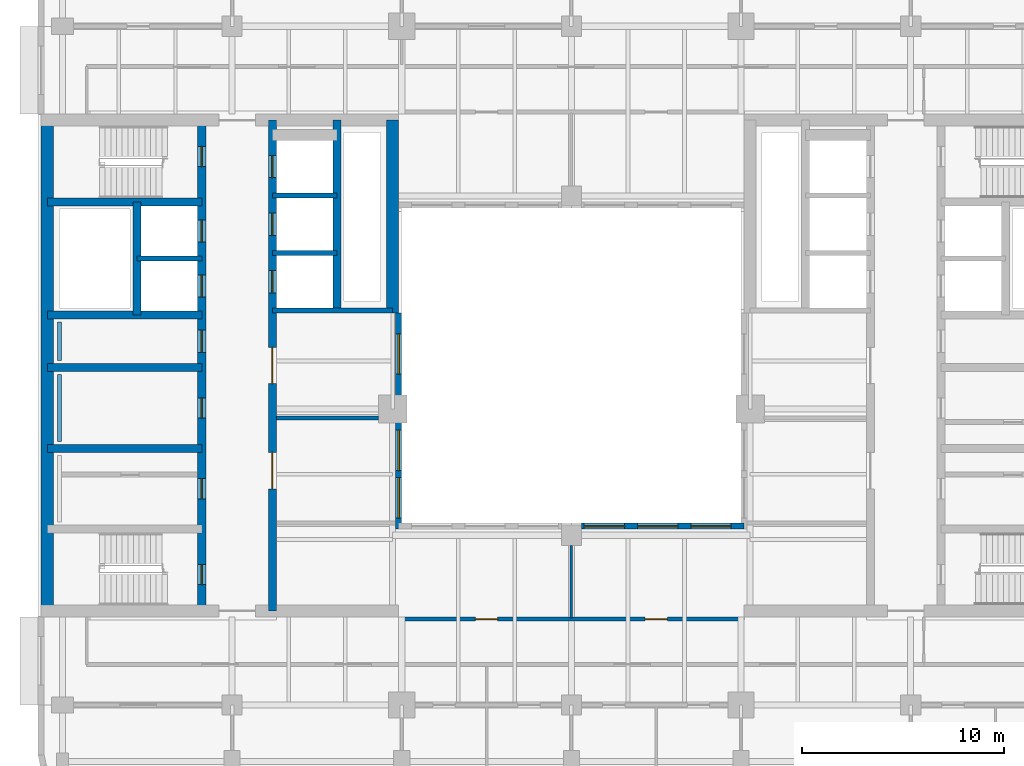
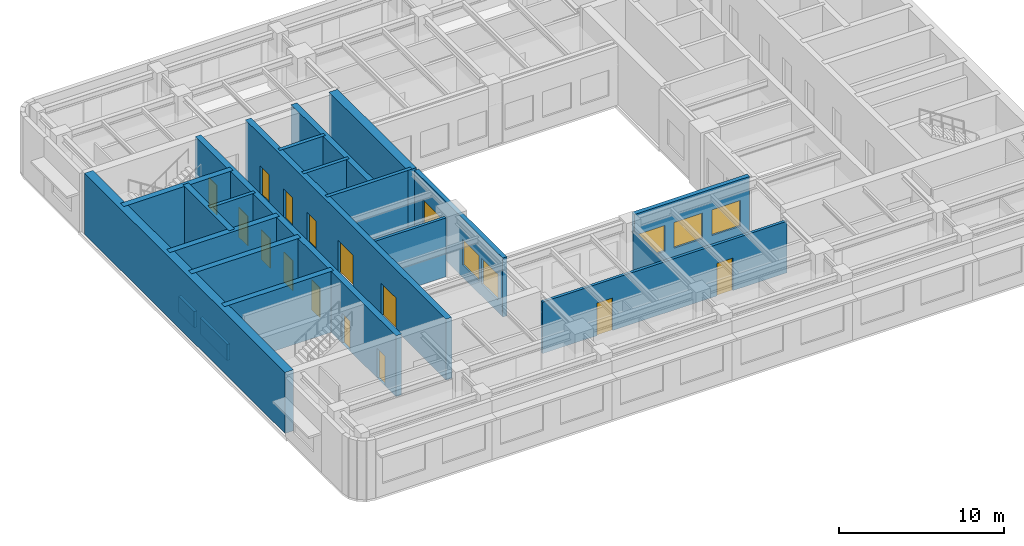
# One storey, part 4 of 11: 21 walls, 14 doors, 6 windows, 20 openings.
"""IFC4 building model written with IfcOpenShell, lengths in metres."""

from ifc_helpers import new_model, si_unit, direction, frame, frame_2d, origin, place, context, subcontext, project, spatial, rectangle, extrude, material, layer, layer_set, type_object, element, fill, save


model = new_model("IFC4")

# Units and contexts
model_context = context("Model", 3, precision=1e-05, world=origin(), true_north=direction((0.0, 1.0)))
body_context = subcontext(model_context, "Body", "Model", "MODEL_VIEW")
ifc_project = project(units=[si_unit("LENGTHUNIT", "METRE"), si_unit("AREAUNIT", "SQUARE_METRE"), si_unit("VOLUMEUNIT", "CUBIC_METRE"), si_unit("PLANEANGLEUNIT", "RADIAN"), si_unit("MASSUNIT", "GRAM", prefix="KILO")], contexts=[model_context])

# Site, building, storey
site_placement = place(None, origin())
site = spatial("IfcSite", under=ifc_project, at=site_placement, CompositionType="ELEMENT")
building_placement = place(site_placement, origin())
building = spatial("IfcBuilding", under=site, at=building_placement, Name="Claustro Exchange Tower", CompositionType="ELEMENT")
storey_placement = place(building_placement, frame((0.0, 0.0, 263.699951171875)))
storey = spatial("IfcBuildingStorey", under=building, at=storey_placement, Name="L60", CompositionType="ELEMENT", Elevation=263.699951171875)

# Walls
ifc_material_1 = material(Name="Laminated glass in aluminium frame", Category="aluminium")
ifc_layer_1 = layer(ifc_material_1, 0.1201171875)
ifc_layer_set_1 = layer_set([ifc_layer_1], Name="Laminated glass in aluminium frame")
wall_type_1 = type_object("IfcWallType", Name="P2 120 glazed partition", PredefinedType="PARTITIONING", material=ifc_layer_set_1)
wall_1_placement = place(storey_placement, frame((25.199951171875, 12.697998046875, 0.0), z_axis=(0.0, 0.0, 1.0), x_axis=(0.0, 1.0, 0.0)))
element("IfcWall", 1, at=wall_1_placement, inside=storey, type_object=wall_type_1, Name="Partition P2 L60", PredefinedType="PARTITIONING", context=body_context, shape_type="SweptSolid", body=[
    extrude(rectangle(XDim=3.60302734375, YDim=0.1201171875, at=frame_2d((1.801513671875, 0.0))), origin(), (0.0, 0.0, 1.0), 3.800048828125),
])
ifc_material_2 = material(Name="Twin-skin gypsum board on steel studs, mineral wool", Category="steel")
ifc_layer_2 = layer(ifc_material_2, 0.199951171875)
ifc_layer_set_2 = layer_set([ifc_layer_2], Name="Twin-skin gypsum board on steel studs, mineral wool")
wall_type_2 = type_object("IfcWallType", Name="P3 200 acoustic partition", PredefinedType="PARTITIONING", material=ifc_layer_set_2)
wall_2_placement = place(storey_placement, frame((10.597900390625, 22.60009765625, 0.0), z_axis=(0.0, 0.0, 1.0), x_axis=(1.0, 0.0, 0.0)))
element("IfcWall", 2, at=wall_2_placement, inside=storey, type_object=wall_type_2, Name="Partition P3 L60", PredefinedType="PARTITIONING", context=body_context, shape_type="SweptSolid", body=[
    extrude(rectangle(XDim=5.052978515625, YDim=0.199951171875, at=frame_2d((2.5263671875, 0.0))), origin(), (0.0, 0.0, 1.0), 4.35009765625),
])

# Wall, openings, doors
wall_3_placement = place(storey_placement, frame((16.64990234375, 12.64990234375, 0.0), z_axis=(0.0, 0.0, 1.0), x_axis=(1.0, 0.0, 0.0)))
wall_3 = element("IfcWall", 3, at=wall_3_placement, inside=storey, type_object=wall_type_2, Name="Partition P3 L60", PredefinedType="PARTITIONING", context=body_context, shape_type="SweptSolid", body=[
    extrude(rectangle(XDim=17.10009765625, YDim=0.199951171875, at=frame_2d((8.550048828125, 0.0))), origin(), (0.0, 0.0, 1.0), 3.800048828125),
])
opening_1_placement = place(wall_3_placement, frame((3.80029296875, 0.0, 0.0)))
opening_1 = element("IfcOpeningElement", 4, at=opening_1_placement, cuts=wall_3, Name="Opening D8", PredefinedType="OPENING", context=body_context, shape_type="SweptSolid", body=[
    extrude(rectangle(XDim=1.10009765625, YDim=2.39990234375, at=frame_2d((0.550048828125, 1.199951171875))), frame((0.0, 0.10986328125, 0.0), z_axis=(0.0, -1.0, 0.0), x_axis=(1.0, 0.0, 0.0)), (0.0, 0.0, 1.0), 0.219970703125),
])
opening_2_placement = place(wall_3_placement, frame((12.2001953125, 0.0, 0.0)))
opening_2 = element("IfcOpeningElement", 5, at=opening_2_placement, cuts=wall_3, Name="Opening D8", PredefinedType="OPENING", context=body_context, shape_type="SweptSolid", body=[
    extrude(rectangle(XDim=1.10009765625, YDim=2.39990234375, at=frame_2d((0.550048828125, 1.199951171875))), frame((0.0, 0.10986328125, 0.0), z_axis=(0.0, -1.0, 0.0), x_axis=(1.0, 0.0, 0.0)), (0.0, 0.0, 1.0), 0.219970703125),
])
ifc_material_3 = material(Name="Timber door, walnut veneer", Category="wood")
door_type_1 = type_object("IfcDoorType", Name="D8 1100 x 2400 executive door", OperationType="SINGLE_SWING_LEFT", PredefinedType="DOOR", material=ifc_material_3)
door_1_placement = place(opening_1_placement, frame((1.10009765625, 0.0, 0.0), z_axis=(0.0, 0.0, 1.0), x_axis=(-1.0, 0.0, 0.0)))
door_1 = element("IfcDoor", 6, at=door_1_placement, inside=storey, type_object=door_type_1, Name="Door D8 L60", OperationType="SINGLE_SWING_RIGHT", OverallHeight=2.39990234375, OverallWidth=1.10009765625, PredefinedType="DOOR", context=body_context, shape_type="SweptSolid", body=[
    extrude(rectangle(XDim=1.10009765625, YDim=2.39990234375, at=frame_2d((0.550048828125, 1.199951171875))), frame((0.0, 0.02490234375, 0.0), z_axis=(0.0, -1.0, 0.0), x_axis=(1.0, 0.0, 0.0)), (0.0, 0.0, 1.0), 0.050048828125),
])
fill(opening_1, door_1)
door_2_placement = place(opening_2_placement, origin())
door_2 = element("IfcDoor", 7, at=door_2_placement, inside=storey, type_object=door_type_1, Name="Door D8 L60", OperationType="SINGLE_SWING_RIGHT", OverallHeight=2.39990234375, OverallWidth=1.10009765625, PredefinedType="DOOR", context=body_context, shape_type="SweptSolid", body=[
    extrude(rectangle(XDim=1.10009765625, YDim=2.39990234375, at=frame_2d((0.550048828125, 1.199951171875))), frame((0.0, 0.02490234375, 0.0), z_axis=(0.0, -1.0, 0.0), x_axis=(1.0, 0.0, 0.0)), (0.0, 0.0, 1.0), 0.050048828125),
])
fill(opening_2, door_2)

# Wall, openings, windows
ifc_material_4 = material(Name="Concrete HA-40 (C40/50), precast, white cement, acid-etched", Category="concrete")
ifc_layer_3 = layer(ifc_material_4, 0.300048828125)
ifc_layer_set_3 = layer_set([ifc_layer_3], Name="Concrete HA-40 (C40/50), precast, white cement, acid-etched")
wall_type_3 = type_object("IfcWallType", Name="PC1 300 precast concrete pier panel", PredefinedType="SOLIDWALL", material=ifc_layer_set_3)
wall_4_placement = place(storey_placement, frame((16.64990234375, 17.10009765625, 0.0), z_axis=(0.0, 0.0, 1.0), x_axis=(0.0, 1.0, 0.0)))
wall_4 = element("IfcWall", 8, at=wall_4_placement, inside=storey, type_object=wall_type_3, Name="Precast pier panel PC1 L60", PredefinedType="SOLIDWALL", context=body_context, shape_type="SweptSolid", body=[
    extrude(rectangle(XDim=10.699951171875, YDim=0.300048828125, at=frame_2d((5.35009765625, 0.0))), origin(), (0.0, 0.0, 1.0), 4.35009765625),
])
opening_3_placement = place(wall_4_placement, frame((0.550048828125, 0.0, 0.89990234375)))
opening_3 = element("IfcOpeningElement", 9, at=opening_3_placement, cuts=wall_4, Name="Opening W4", PredefinedType="OPENING", context=body_context, shape_type="SweptSolid", body=[
    extrude(rectangle(XDim=2.0, YDim=1.89990234375, at=frame_2d((1.0, 0.949951171875))), frame((0.0, 0.159912109375, 0.0), z_axis=(0.0, -1.0, 0.0), x_axis=(1.0, 0.0, 0.0)), (0.0, 0.0, 1.0), 0.320068359375),
])
opening_4_placement = place(wall_4_placement, frame((2.89990234375, 0.0, 0.89990234375)))
opening_4 = element("IfcOpeningElement", 10, at=opening_4_placement, cuts=wall_4, Name="Opening W4", PredefinedType="OPENING", context=body_context, shape_type="SweptSolid", body=[
    extrude(rectangle(XDim=2.0, YDim=1.89990234375, at=frame_2d((1.0, 0.949951171875))), frame((0.0, 0.159912109375, 0.0), z_axis=(0.0, -1.0, 0.0), x_axis=(1.0, 0.0, 0.0)), (0.0, 0.0, 1.0), 0.320068359375),
])
opening_5_placement = place(wall_4_placement, frame((7.675048828125, 0.0, 0.89990234375)))
opening_5 = element("IfcOpeningElement", 11, at=opening_5_placement, cuts=wall_4, Name="Opening W4", PredefinedType="OPENING", context=body_context, shape_type="SweptSolid", body=[
    extrude(rectangle(XDim=2.0, YDim=1.89990234375, at=frame_2d((1.0, 0.949951171875))), frame((0.0, 0.159912109375, 0.0), z_axis=(0.0, -1.0, 0.0), x_axis=(1.0, 0.0, 0.0)), (0.0, 0.0, 1.0), 0.320068359375),
])
ifc_material_5 = material(Name="Aluminium frame, clear double glazing", Category="aluminium")
window_type = type_object("IfcWindowType", Name="W4 2000 x 1900 light well window", PartitioningType="SINGLE_PANEL", PredefinedType="WINDOW", material=ifc_material_5)
window_1_placement = place(opening_3_placement, origin())
window_1 = element("IfcWindow", 12, at=window_1_placement, inside=storey, type_object=window_type, Name="Window W4 L60", OverallHeight=1.89990234375, OverallWidth=2.0, PartitioningType="SINGLE_PANEL", PredefinedType="WINDOW", context=body_context, shape_type="SweptSolid", body=[
    extrude(rectangle(XDim=2.0, YDim=1.89990234375, at=frame_2d((1.0, 0.949951171875))), frame((0.0, 0.030029296875, 0.0), z_axis=(0.0, -1.0, 0.0), x_axis=(1.0, 0.0, 0.0)), (0.0, 0.0, 1.0), 0.06005859375),
])
fill(opening_3, window_1)
window_2_placement = place(opening_4_placement, origin())
window_2 = element("IfcWindow", 13, at=window_2_placement, inside=storey, type_object=window_type, Name="Window W4 L60", OverallHeight=1.89990234375, OverallWidth=2.0, PartitioningType="SINGLE_PANEL", PredefinedType="WINDOW", context=body_context, shape_type="SweptSolid", body=[
    extrude(rectangle(XDim=2.0, YDim=1.89990234375, at=frame_2d((1.0, 0.949951171875))), frame((0.0, 0.030029296875, 0.0), z_axis=(0.0, -1.0, 0.0), x_axis=(1.0, 0.0, 0.0)), (0.0, 0.0, 1.0), 0.06005859375),
])
fill(opening_4, window_2)
window_3_placement = place(opening_5_placement, origin())
window_3 = element("IfcWindow", 14, at=window_3_placement, inside=storey, type_object=window_type, Name="Window W4 L60", OverallHeight=1.89990234375, OverallWidth=2.0, PartitioningType="SINGLE_PANEL", PredefinedType="WINDOW", context=body_context, shape_type="SweptSolid", body=[
    extrude(rectangle(XDim=2.0, YDim=1.89990234375, at=frame_2d((1.0, 0.949951171875))), frame((0.0, 0.030029296875, 0.0), z_axis=(0.0, -1.0, 0.0), x_axis=(1.0, 0.0, 0.0)), (0.0, 0.0, 1.0), 0.06005859375),
])
fill(opening_5, window_3)

wall_5_placement = place(storey_placement, frame((25.699951171875, 17.25, 0.0), z_axis=(0.0, 0.0, 1.0), x_axis=(1.0, 0.0, 0.0)))
wall_5 = element("IfcWall", 15, at=wall_5_placement, inside=storey, type_object=wall_type_3, Name="Precast pier panel PC1 L60", PredefinedType="SOLIDWALL", context=body_context, shape_type="SweptSolid", body=[
    extrude(rectangle(XDim=8.050048828125, YDim=0.300048828125, at=frame_2d((4.02490234375, 0.0))), origin(), (0.0, 0.0, 1.0), 4.35009765625),
])
opening_6_placement = place(wall_5_placement, frame((0.137451171875, 0.0, 0.89990234375)))
opening_6 = element("IfcOpeningElement", 16, at=opening_6_placement, cuts=wall_5, Name="Opening W4", PredefinedType="OPENING", context=body_context, shape_type="SweptSolid", body=[
    extrude(rectangle(XDim=2.0, YDim=1.89990234375, at=frame_2d((1.0, 0.949951171875))), frame((0.0, 0.159912109375, 0.0), z_axis=(0.0, -1.0, 0.0), x_axis=(1.0, 0.0, 0.0)), (0.0, 0.0, 1.0), 0.320068359375),
])
opening_7_placement = place(wall_5_placement, frame((2.77490234375, 0.0, 0.89990234375)))
opening_7 = element("IfcOpeningElement", 17, at=opening_7_placement, cuts=wall_5, Name="Opening W4", PredefinedType="OPENING", context=body_context, shape_type="SweptSolid", body=[
    extrude(rectangle(XDim=2.0, YDim=1.89990234375, at=frame_2d((1.0, 0.949951171875))), frame((0.0, 0.159912109375, 0.0), z_axis=(0.0, -1.0, 0.0), x_axis=(1.0, 0.0, 0.0)), (0.0, 0.0, 1.0), 0.320068359375),
])
opening_8_placement = place(wall_5_placement, frame((5.41259765625, 0.0, 0.89990234375)))
opening_8 = element("IfcOpeningElement", 18, at=opening_8_placement, cuts=wall_5, Name="Opening W4", PredefinedType="OPENING", context=body_context, shape_type="SweptSolid", body=[
    extrude(rectangle(XDim=2.0, YDim=1.89990234375, at=frame_2d((1.0, 0.949951171875))), frame((0.0, 0.159912109375, 0.0), z_axis=(0.0, -1.0, 0.0), x_axis=(1.0, 0.0, 0.0)), (0.0, 0.0, 1.0), 0.320068359375),
])
window_4_placement = place(opening_6_placement, origin())
window_4 = element("IfcWindow", 19, at=window_4_placement, inside=storey, type_object=window_type, Name="Window W4 L60", OverallHeight=1.89990234375, OverallWidth=2.0, PartitioningType="SINGLE_PANEL", PredefinedType="WINDOW", context=body_context, shape_type="SweptSolid", body=[
    extrude(rectangle(XDim=2.0, YDim=1.89990234375, at=frame_2d((1.0, 0.949951171875))), frame((0.0, 0.030029296875, 0.0), z_axis=(0.0, -1.0, 0.0), x_axis=(1.0, 0.0, 0.0)), (0.0, 0.0, 1.0), 0.06005859375),
])
fill(opening_6, window_4)
window_5_placement = place(opening_7_placement, origin())
window_5 = element("IfcWindow", 20, at=window_5_placement, inside=storey, type_object=window_type, Name="Window W4 L60", OverallHeight=1.89990234375, OverallWidth=2.0, PartitioningType="SINGLE_PANEL", PredefinedType="WINDOW", context=body_context, shape_type="SweptSolid", body=[
    extrude(rectangle(XDim=2.0, YDim=1.89990234375, at=frame_2d((1.0, 0.949951171875))), frame((0.0, 0.030029296875, 0.0), z_axis=(0.0, -1.0, 0.0), x_axis=(1.0, 0.0, 0.0)), (0.0, 0.0, 1.0), 0.06005859375),
])
fill(opening_7, window_5)
window_6_placement = place(opening_8_placement, origin())
window_6 = element("IfcWindow", 21, at=window_6_placement, inside=storey, type_object=window_type, Name="Window W4 L60", OverallHeight=1.89990234375, OverallWidth=2.0, PartitioningType="SINGLE_PANEL", PredefinedType="WINDOW", context=body_context, shape_type="SweptSolid", body=[
    extrude(rectangle(XDim=2.0, YDim=1.89990234375, at=frame_2d((1.0, 0.949951171875))), frame((0.0, 0.030029296875, 0.0), z_axis=(0.0, -1.0, 0.0), x_axis=(1.0, 0.0, 0.0)), (0.0, 0.0, 1.0), 0.06005859375),
])
fill(opening_8, window_6)

# Walls
ifc_material_6 = material(Name="Gypsum board on steel studs, tiled", Category="steel")
ifc_layer_4 = layer(ifc_material_6, 0.199951171875)
ifc_layer_set_4 = layer_set([ifc_layer_4], Name="Gypsum board on steel studs, tiled")
wall_type_4 = type_object("IfcWallType", Name="PW1 200 WC duct wall", PredefinedType="PLUMBINGWALL", material=ifc_layer_set_4)
wall_6_placement = place(storey_placement, frame((-0.14990234375, 21.449951171875, 0.0), z_axis=(0.0, 0.0, 1.0), x_axis=(0.0, 1.0, 0.0)))
element("IfcWall", 22, at=wall_6_placement, inside=storey, type_object=wall_type_4, Name="WC duct wall PW1 L60", PredefinedType="PLUMBINGWALL", context=body_context, shape_type="SweptSolid", body=[
    extrude(rectangle(XDim=3.300048828125, YDim=0.199951171875, at=frame_2d((1.64990234375, 0.0))), origin(), (0.0, 0.0, 1.0), 1.199951171875),
])
wall_7_placement = place(storey_placement, frame((-0.14990234375, 25.449951171875, 0.0), z_axis=(0.0, 0.0, 1.0), x_axis=(0.0, 1.0, 0.0)))
element("IfcWall", 23, at=wall_7_placement, inside=storey, type_object=wall_type_4, Name="WC duct wall PW1 L60", PredefinedType="PLUMBINGWALL", context=body_context, shape_type="SweptSolid", body=[
    extrude(rectangle(XDim=1.900146484375, YDim=0.199951171875, at=frame_2d((0.9501953125, 0.0))), origin(), (0.0, 0.0, 1.0), 1.199951171875),
])
ifc_material_7 = material(Name="Concrete HA-50 (C50/60)", Category="concrete")
ifc_layer_5 = layer(ifc_material_7, 0.60009765625)
ifc_layer_set_5 = layer_set([ifc_layer_5], Name="Concrete HA-50 (C50/60)")
wall_type_5 = type_object("IfcWallType", Name="SW3X 600 exposed core shear wall, board-marked face", PredefinedType="SHEAR", material=ifc_layer_set_5)
wall_8_placement = place(storey_placement, frame((-0.75, 13.050048828125, 0.0), z_axis=(0.0, 0.0, 1.0), x_axis=(0.0, 1.0, 0.0)))
element("IfcWall", 24, at=wall_8_placement, inside=storey, type_object=wall_type_5, Name="Core wall SW3X W core W face L60", PredefinedType="SHEAR", context=body_context, shape_type="SweptSolid", body=[
    extrude(rectangle(XDim=24.300048828125, YDim=0.60009765625, at=frame_2d((12.14990234375, 0.0))), origin(), (0.0, 0.0, 1.0), 4.5),
])
wall_9_placement = place(storey_placement, frame((16.35009765625, 27.800048828125, 0.0), z_axis=(0.0, 0.0, 1.0), x_axis=(0.0, 1.0, 0.0)))
element("IfcWall", 25, at=wall_9_placement, inside=storey, type_object=wall_type_5, Name="Core wall SW3X W core E face L60", PredefinedType="SHEAR", context=body_context, shape_type="SweptSolid", body=[
    extrude(rectangle(XDim=9.550048828125, YDim=0.60009765625, at=frame_2d((4.77490234375, 0.0))), origin(), (0.0, 0.0, 1.0), 4.5),
])

# Wall, openings, doors
ifc_material_8 = material(Name="Concrete HA-50 (C50/60)", Category="concrete")
ifc_layer_6 = layer(ifc_material_8, 0.39990234375)
ifc_layer_set_6 = layer_set([ifc_layer_6], Name="Concrete HA-50 (C50/60)")
wall_type_6 = type_object("IfcWallType", Name="SW4 400 internal core wall", PredefinedType="SHEAR", material=ifc_layer_set_6)
wall_10_placement = place(storey_placement, frame((6.89990234375, 13.050048828125, 0.0), z_axis=(0.0, 0.0, 1.0), x_axis=(0.0, 1.0, 0.0)))
wall_10 = element("IfcWall", 26, at=wall_10_placement, inside=storey, type_object=wall_type_6, Name="Internal core wall SW4 W core L60", PredefinedType="SHEAR", context=body_context, shape_type="SweptSolid", body=[
    extrude(rectangle(XDim=24.300048828125, YDim=0.39990234375, at=frame_2d((12.14990234375, 0.0))), origin(), (0.0, 0.0, 1.0), 4.5),
])
opening_9_placement = place(wall_10_placement, frame((1.300048828125, 0.0, 0.0)))
opening_9 = element("IfcOpeningElement", 27, at=opening_9_placement, cuts=wall_10, Name="Opening D4", PredefinedType="OPENING", context=body_context, shape_type="SweptSolid", body=[
    extrude(rectangle(XDim=1.0, YDim=2.199951171875, at=frame_2d((0.5, 1.10009765625))), frame((0.0, 0.2099609375, 0.0), z_axis=(0.0, -1.0, 0.0), x_axis=(1.0, 0.0, 0.0)), (0.0, 0.0, 1.0), 0.419921875),
])
opening_10_placement = place(wall_10_placement, frame((22.0, 0.0, 0.0)))
opening_10 = element("IfcOpeningElement", 28, at=opening_10_placement, cuts=wall_10, Name="Opening D4", PredefinedType="OPENING", context=body_context, shape_type="SweptSolid", body=[
    extrude(rectangle(XDim=1.0, YDim=2.199951171875, at=frame_2d((0.5, 1.10009765625))), frame((0.0, 0.2099609375, 0.0), z_axis=(0.0, -1.0, 0.0), x_axis=(1.0, 0.0, 0.0)), (0.0, 0.0, 1.0), 0.419921875),
])
opening_11_placement = place(wall_10_placement, frame((5.550048828125, 0.0, 0.0)))
opening_11 = element("IfcOpeningElement", 29, at=opening_11_placement, cuts=wall_10, Name="Opening D1", PredefinedType="OPENING", context=body_context, shape_type="SweptSolid", body=[
    extrude(rectangle(XDim=1.0, YDim=2.199951171875, at=frame_2d((0.5, 1.10009765625))), frame((0.0, 0.2099609375, 0.0), z_axis=(0.0, -1.0, 0.0), x_axis=(1.0, 0.0, 0.0)), (0.0, 0.0, 1.0), 0.419921875),
])
opening_12_placement = place(wall_10_placement, frame((9.550048828125, 0.0, 0.0)))
opening_12 = element("IfcOpeningElement", 30, at=opening_12_placement, cuts=wall_10, Name="Opening D1", PredefinedType="OPENING", context=body_context, shape_type="SweptSolid", body=[
    extrude(rectangle(XDim=1.0, YDim=2.199951171875, at=frame_2d((0.5, 1.10009765625))), frame((0.0, 0.2099609375, 0.0), z_axis=(0.0, -1.0, 0.0), x_axis=(1.0, 0.0, 0.0)), (0.0, 0.0, 1.0), 0.419921875),
])
opening_13_placement = place(wall_10_placement, frame((12.800048828125, 0.0, 0.0)))
opening_13 = element("IfcOpeningElement", 31, at=opening_13_placement, cuts=wall_10, Name="Opening D10", PredefinedType="OPENING", context=body_context, shape_type="SweptSolid", body=[
    extrude(rectangle(XDim=1.10009765625, YDim=2.199951171875, at=frame_2d((0.550048828125, 1.10009765625))), frame((0.0, 0.2099609375, 0.0), z_axis=(0.0, -1.0, 0.0), x_axis=(1.0, 0.0, 0.0)), (0.0, 0.0, 1.0), 0.419921875),
])
opening_14_placement = place(wall_10_placement, frame((15.53759765625, 0.0, 0.0)))
opening_14 = element("IfcOpeningElement", 32, at=opening_14_placement, cuts=wall_10, Name="Opening LD", PredefinedType="OPENING", context=body_context, shape_type="SweptSolid", body=[
    extrude(rectangle(XDim=1.10009765625, YDim=2.199951171875, at=frame_2d((0.550048828125, 1.10009765625))), frame((0.0, 0.2099609375, 0.0), z_axis=(0.0, -1.0, 0.0), x_axis=(1.0, 0.0, 0.0)), (0.0, 0.0, 1.0), 0.419921875),
])
opening_15_placement = place(wall_10_placement, frame((18.262451171875, 0.0, 0.0)))
opening_15 = element("IfcOpeningElement", 33, at=opening_15_placement, cuts=wall_10, Name="Opening LD", PredefinedType="OPENING", context=body_context, shape_type="SweptSolid", body=[
    extrude(rectangle(XDim=1.10009765625, YDim=2.199951171875, at=frame_2d((0.550048828125, 1.10009765625))), frame((0.0, 0.2099609375, 0.0), z_axis=(0.0, -1.0, 0.0), x_axis=(1.0, 0.0, 0.0)), (0.0, 0.0, 1.0), 0.419921875),
])
ifc_material_9 = material(Name="Timber door, oak veneer", Category="wood")
door_type_2 = type_object("IfcDoorType", Name="D1 1000 x 2200 single door", OperationType="SINGLE_SWING_LEFT", PredefinedType="DOOR", material=ifc_material_9)
door_3_placement = place(opening_11_placement, origin())
door_3 = element("IfcDoor", 34, at=door_3_placement, inside=storey, type_object=door_type_2, Name="Door D1 L60", OperationType="SINGLE_SWING_RIGHT", OverallHeight=2.199951171875, OverallWidth=1.0, PredefinedType="DOOR", context=body_context, shape_type="SweptSolid", body=[
    extrude(rectangle(XDim=1.0, YDim=2.199951171875, at=frame_2d((0.5, 1.10009765625))), frame((0.0, 0.02490234375, 0.0), z_axis=(0.0, -1.0, 0.0), x_axis=(1.0, 0.0, 0.0)), (0.0, 0.0, 1.0), 0.050048828125),
])
fill(opening_11, door_3)
door_4_placement = place(opening_12_placement, origin())
door_4 = element("IfcDoor", 35, at=door_4_placement, inside=storey, type_object=door_type_2, Name="Door D1 L60", OperationType="SINGLE_SWING_RIGHT", OverallHeight=2.199951171875, OverallWidth=1.0, PredefinedType="DOOR", context=body_context, shape_type="SweptSolid", body=[
    extrude(rectangle(XDim=1.0, YDim=2.199951171875, at=frame_2d((0.5, 1.10009765625))), frame((0.0, 0.02490234375, 0.0), z_axis=(0.0, -1.0, 0.0), x_axis=(1.0, 0.0, 0.0)), (0.0, 0.0, 1.0), 0.050048828125),
])
fill(opening_12, door_4)
ifc_material_10 = material(Name="Timber door, oak veneer", Category="wood")
door_type_3 = type_object("IfcDoorType", Name="D10 1100 x 2200 accessible WC door", OperationType="SINGLE_SWING_LEFT", PredefinedType="DOOR", material=ifc_material_10)
door_5_placement = place(opening_13_placement, frame((1.10009765625, 0.0, 0.0), z_axis=(0.0, 0.0, 1.0), x_axis=(-1.0, 0.0, 0.0)))
door_5 = element("IfcDoor", 36, at=door_5_placement, inside=storey, type_object=door_type_3, Name="Accessible WC door D10 L60", OperationType="SINGLE_SWING_LEFT", OverallHeight=2.199951171875, OverallWidth=1.10009765625, PredefinedType="DOOR", context=body_context, shape_type="SweptSolid", body=[
    extrude(rectangle(XDim=1.10009765625, YDim=2.199951171875, at=frame_2d((0.550048828125, 1.10009765625))), frame((0.0, 0.02490234375, 0.0), z_axis=(0.0, -1.0, 0.0), x_axis=(1.0, 0.0, 0.0)), (0.0, 0.0, 1.0), 0.050048828125),
])
fill(opening_13, door_5)
ifc_material_11 = material(Name="Steel fire door, painted", Category="steel")
door_type_4 = type_object("IfcDoorType", Name="D4 1000 x 2200 fire-rated stair door", OperationType="SINGLE_SWING_LEFT", PredefinedType="DOOR", material=ifc_material_11)
door_6_placement = place(opening_9_placement, origin())
door_6 = element("IfcDoor", 37, at=door_6_placement, inside=storey, type_object=door_type_4, Name="Stair door D4 L60", OperationType="SINGLE_SWING_LEFT", OverallHeight=2.199951171875, OverallWidth=1.0, PredefinedType="DOOR", context=body_context, shape_type="SweptSolid", body=[
    extrude(rectangle(XDim=1.0, YDim=2.199951171875, at=frame_2d((0.5, 1.10009765625))), frame((0.0, 0.02490234375, 0.0), z_axis=(0.0, -1.0, 0.0), x_axis=(1.0, 0.0, 0.0)), (0.0, 0.0, 1.0), 0.050048828125),
])
fill(opening_9, door_6)
door_7_placement = place(opening_10_placement, origin())
door_7 = element("IfcDoor", 38, at=door_7_placement, inside=storey, type_object=door_type_4, Name="Stair door D4 L60", OperationType="SINGLE_SWING_RIGHT", OverallHeight=2.199951171875, OverallWidth=1.0, PredefinedType="DOOR", context=body_context, shape_type="SweptSolid", body=[
    extrude(rectangle(XDim=1.0, YDim=2.199951171875, at=frame_2d((0.5, 1.10009765625))), frame((0.0, 0.02490234375, 0.0), z_axis=(0.0, -1.0, 0.0), x_axis=(1.0, 0.0, 0.0)), (0.0, 0.0, 1.0), 0.050048828125),
])
fill(opening_10, door_7)
ifc_material_12 = material(Name="Stainless steel sliding door", Category="steel")
door_type_5 = type_object("IfcDoorType", Name="LD 1100 x 2200 lift landing door", OperationType="DOUBLE_DOOR_SLIDING", PredefinedType="DOOR", material=ifc_material_12)
door_8_placement = place(opening_14_placement, origin())
door_8 = element("IfcDoor", 39, at=door_8_placement, inside=storey, type_object=door_type_5, Name="Lift landing door LEW1 LD L60", OperationType="DOUBLE_DOOR_SLIDING", OverallHeight=2.199951171875, OverallWidth=1.10009765625, PredefinedType="DOOR", context=body_context, shape_type="SweptSolid", body=[
    extrude(rectangle(XDim=1.10009765625, YDim=2.199951171875, at=frame_2d((0.550048828125, 1.10009765625))), frame((0.0, 0.02490234375, 0.0), z_axis=(0.0, -1.0, 0.0), x_axis=(1.0, 0.0, 0.0)), (0.0, 0.0, 1.0), 0.050048828125),
])
fill(opening_14, door_8)
door_9_placement = place(opening_15_placement, origin())
door_9 = element("IfcDoor", 40, at=door_9_placement, inside=storey, type_object=door_type_5, Name="Lift landing door LEW2 LD L60", OperationType="DOUBLE_DOOR_SLIDING", OverallHeight=2.199951171875, OverallWidth=1.10009765625, PredefinedType="DOOR", context=body_context, shape_type="SweptSolid", body=[
    extrude(rectangle(XDim=1.10009765625, YDim=2.199951171875, at=frame_2d((0.550048828125, 1.10009765625))), frame((0.0, 0.02490234375, 0.0), z_axis=(0.0, -1.0, 0.0), x_axis=(1.0, 0.0, 0.0)), (0.0, 0.0, 1.0), 0.050048828125),
])
fill(opening_15, door_9)

wall_11_placement = place(storey_placement, frame((10.39990234375, 13.050048828125, 0.0), z_axis=(0.0, 0.0, 1.0), x_axis=(0.0, 1.0, 0.0)))
wall_11 = element("IfcWall", 41, at=wall_11_placement, inside=storey, type_object=wall_type_6, Name="Internal core wall SW4 W core L60", PredefinedType="SHEAR", context=body_context, shape_type="SweptSolid", body=[
    extrude(rectangle(XDim=24.300048828125, YDim=0.39990234375, at=frame_2d((12.14990234375, 0.0))), origin(), (0.0, 0.0, 1.0), 4.5),
])
opening_16_placement = place(wall_11_placement, frame((15.75, 0.0, 0.0)))
opening_16 = element("IfcOpeningElement", 42, at=opening_16_placement, cuts=wall_11, Name="Opening LD", PredefinedType="OPENING", context=body_context, shape_type="SweptSolid", body=[
    extrude(rectangle(XDim=1.10009765625, YDim=2.199951171875, at=frame_2d((0.550048828125, 1.10009765625))), frame((0.0, 0.2099609375, 0.0), z_axis=(0.0, -1.0, 0.0), x_axis=(1.0, 0.0, 0.0)), (0.0, 0.0, 1.0), 0.419921875),
])
opening_17_placement = place(wall_11_placement, frame((18.60009765625, 0.0, 0.0)))
opening_17 = element("IfcOpeningElement", 43, at=opening_17_placement, cuts=wall_11, Name="Opening LD", PredefinedType="OPENING", context=body_context, shape_type="SweptSolid", body=[
    extrude(rectangle(XDim=1.10009765625, YDim=2.199951171875, at=frame_2d((0.550048828125, 1.10009765625))), frame((0.0, 0.2099609375, 0.0), z_axis=(0.0, -1.0, 0.0), x_axis=(1.0, 0.0, 0.0)), (0.0, 0.0, 1.0), 0.419921875),
])
opening_18_placement = place(wall_11_placement, frame((21.449951171875, 0.0, 0.0)))
opening_18 = element("IfcOpeningElement", 44, at=opening_18_placement, cuts=wall_11, Name="Opening LD", PredefinedType="OPENING", context=body_context, shape_type="SweptSolid", body=[
    extrude(rectangle(XDim=1.10009765625, YDim=2.199951171875, at=frame_2d((0.550048828125, 1.10009765625))), frame((0.0, 0.2099609375, 0.0), z_axis=(0.0, -1.0, 0.0), x_axis=(1.0, 0.0, 0.0)), (0.0, 0.0, 1.0), 0.419921875),
])
opening_19_placement = place(wall_11_placement, frame((6.050048828125, 0.0, 0.0)))
opening_19 = element("IfcOpeningElement", 45, at=opening_19_placement, cuts=wall_11, Name="Opening D3", PredefinedType="OPENING", context=body_context, shape_type="SweptSolid", body=[
    extrude(rectangle(XDim=1.800048828125, YDim=2.39990234375, at=frame_2d((0.89990234375, 1.199951171875))), frame((0.0, 0.2099609375, 0.0), z_axis=(0.0, -1.0, 0.0), x_axis=(1.0, 0.0, 0.0)), (0.0, 0.0, 1.0), 0.419921875),
])
opening_20_placement = place(wall_11_placement, frame((11.25, 0.0, 0.0)))
opening_20 = element("IfcOpeningElement", 46, at=opening_20_placement, cuts=wall_11, Name="Opening D3", PredefinedType="OPENING", context=body_context, shape_type="SweptSolid", body=[
    extrude(rectangle(XDim=1.800048828125, YDim=2.39990234375, at=frame_2d((0.89990234375, 1.199951171875))), frame((0.0, 0.2099609375, 0.0), z_axis=(0.0, -1.0, 0.0), x_axis=(1.0, 0.0, 0.0)), (0.0, 0.0, 1.0), 0.419921875),
])
ifc_material_13 = material(Name="Steel fire door, painted", Category="steel")
door_type_6 = type_object("IfcDoorType", Name="D3 1800 x 2400 fire-rated lobby double door", OperationType="DOUBLE_DOOR_SINGLE_SWING", PredefinedType="DOOR", material=ifc_material_13)
door_10_placement = place(opening_19_placement, frame((1.800048828125, 0.0, 0.0), z_axis=(0.0, 0.0, 1.0), x_axis=(-1.0, 0.0, 0.0)))
door_10 = element("IfcDoor", 47, at=door_10_placement, inside=storey, type_object=door_type_6, Name="Core zone door D3 L60", OperationType="DOUBLE_DOOR_SINGLE_SWING", OverallHeight=2.39990234375, OverallWidth=1.800048828125, PredefinedType="DOOR", context=body_context, shape_type="SweptSolid", body=[
    extrude(rectangle(XDim=1.800048828125, YDim=2.39990234375, at=frame_2d((0.89990234375, 1.199951171875))), frame((0.0, 0.02490234375, 0.0), z_axis=(0.0, -1.0, 0.0), x_axis=(1.0, 0.0, 0.0)), (0.0, 0.0, 1.0), 0.050048828125),
])
fill(opening_19, door_10)
door_11_placement = place(opening_20_placement, frame((1.800048828125, 0.0, 0.0), z_axis=(0.0, 0.0, 1.0), x_axis=(-1.0, 0.0, 0.0)))
door_11 = element("IfcDoor", 48, at=door_11_placement, inside=storey, type_object=door_type_6, Name="Core zone door D3 L60", OperationType="DOUBLE_DOOR_SINGLE_SWING", OverallHeight=2.39990234375, OverallWidth=1.800048828125, PredefinedType="DOOR", context=body_context, shape_type="SweptSolid", body=[
    extrude(rectangle(XDim=1.800048828125, YDim=2.39990234375, at=frame_2d((0.89990234375, 1.199951171875))), frame((0.0, 0.02490234375, 0.0), z_axis=(0.0, -1.0, 0.0), x_axis=(1.0, 0.0, 0.0)), (0.0, 0.0, 1.0), 0.050048828125),
])
fill(opening_20, door_11)
door_12_placement = place(opening_16_placement, origin())
door_12 = element("IfcDoor", 49, at=door_12_placement, inside=storey, type_object=door_type_5, Name="Lift landing door LHW1 LD L60", OperationType="DOUBLE_DOOR_SLIDING", OverallHeight=2.199951171875, OverallWidth=1.10009765625, PredefinedType="DOOR", context=body_context, shape_type="SweptSolid", body=[
    extrude(rectangle(XDim=1.10009765625, YDim=2.199951171875, at=frame_2d((0.550048828125, 1.10009765625))), frame((0.0, 0.02490234375, 0.0), z_axis=(0.0, -1.0, 0.0), x_axis=(1.0, 0.0, 0.0)), (0.0, 0.0, 1.0), 0.050048828125),
])
fill(opening_16, door_12)
door_13_placement = place(opening_17_placement, origin())
door_13 = element("IfcDoor", 50, at=door_13_placement, inside=storey, type_object=door_type_5, Name="Lift landing door LHW2 LD L60", OperationType="DOUBLE_DOOR_SLIDING", OverallHeight=2.199951171875, OverallWidth=1.10009765625, PredefinedType="DOOR", context=body_context, shape_type="SweptSolid", body=[
    extrude(rectangle(XDim=1.10009765625, YDim=2.199951171875, at=frame_2d((0.550048828125, 1.10009765625))), frame((0.0, 0.02490234375, 0.0), z_axis=(0.0, -1.0, 0.0), x_axis=(1.0, 0.0, 0.0)), (0.0, 0.0, 1.0), 0.050048828125),
])
fill(opening_17, door_13)
door_14_placement = place(opening_18_placement, origin())
door_14 = element("IfcDoor", 51, at=door_14_placement, inside=storey, type_object=door_type_5, Name="Lift landing door LSW1 LD L60", OperationType="DOUBLE_DOOR_SLIDING", OverallHeight=2.199951171875, OverallWidth=1.10009765625, PredefinedType="DOOR", context=body_context, shape_type="SweptSolid", body=[
    extrude(rectangle(XDim=1.10009765625, YDim=2.199951171875, at=frame_2d((0.550048828125, 1.10009765625))), frame((0.0, 0.02490234375, 0.0), z_axis=(0.0, -1.0, 0.0), x_axis=(1.0, 0.0, 0.0)), (0.0, 0.0, 1.0), 0.050048828125),
])
fill(opening_18, door_14)

# Walls
wall_12_placement = place(storey_placement, frame((13.60009765625, 27.925048828125, 0.0), z_axis=(0.0, 0.0, 1.0), x_axis=(0.0, 1.0, 0.0)))
element("IfcWall", 52, at=wall_12_placement, inside=storey, type_object=wall_type_6, Name="Internal core wall SW4 W core L60", PredefinedType="SHEAR", context=body_context, shape_type="SweptSolid", body=[
    extrude(rectangle(XDim=9.425048828125, YDim=0.39990234375, at=frame_2d((4.71240234375, 0.0))), origin(), (0.0, 0.0, 1.0), 4.5),
])
for number, where, z_axis, x_axis, name in (
    (53, (-0.75, 21.10009765625, 0.0), (0.0, 0.0, 1.0), (1.0, 0.0, 0.0), "Internal core wall SW4 W core L60"),
    (54, (-0.75, 25.10009765625, 0.0), (0.0, 0.0, 1.0), (1.0, 0.0, 0.0), "Internal core wall SW4 W core L60"),
    (55, (-0.75, 27.699951171875, 0.0), (0.0, 0.0, 1.0), (1.0, 0.0, 0.0), "Internal core wall SW4 W core L60"),
    (56, (-0.75, 33.300048828125, 0.0), (0.0, 0.0, 1.0), (1.0, 0.0, 0.0), "Internal core wall SW4 W core L60"),
):
    element("IfcWall", number, at=place(storey_placement, frame(where, z_axis=z_axis, x_axis=x_axis)), inside=storey, type_object=wall_type_6, Name=name, PredefinedType="SHEAR", context=body_context, shape_type="SweptSolid", body=[
        extrude(rectangle(XDim=7.64990234375, YDim=0.39990234375, at=frame_2d((3.824951171875, 0.0))), origin(), (0.0, 0.0, 1.0), 4.5),
    ])
wall_13_placement = place(storey_placement, frame((3.699951171875, 27.699951171875, 0.0), z_axis=(0.0, 0.0, 1.0), x_axis=(0.0, 1.0, 0.0)))
element("IfcWall", 57, at=wall_13_placement, inside=storey, type_object=wall_type_6, Name="Internal core wall SW4 W core L60", PredefinedType="SHEAR", context=body_context, shape_type="SweptSolid", body=[
    extrude(rectangle(XDim=5.60009765625, YDim=0.39990234375, at=frame_2d((2.800048828125, 0.0))), origin(), (0.0, 0.0, 1.0), 4.5),
])
ifc_material_14 = material(Name="Concrete HA-50 (C50/60)", Category="concrete")
ifc_layer_7 = layer(ifc_material_14, 0.25)
ifc_layer_set_7 = layer_set([ifc_layer_7], Name="Concrete HA-50 (C50/60)")
wall_type_7 = type_object("IfcWallType", Name="SW5 250 lift shaft divider wall", PredefinedType="SHEAR", material=ifc_layer_set_7)
wall_14_placement = place(storey_placement, frame((3.699951171875, 30.5, 0.0), z_axis=(0.0, 0.0, 1.0), x_axis=(1.0, 0.0, 0.0)))
element("IfcWall", 58, at=wall_14_placement, inside=storey, type_object=wall_type_7, Name="Lift shaft wall W core L60", PredefinedType="SHEAR", context=body_context, shape_type="SweptSolid", body=[
    extrude(rectangle(XDim=3.199951171875, YDim=0.25, at=frame_2d((1.60009765625, 0.0))), origin(), (0.0, 0.0, 1.0), 4.5),
])
wall_15_placement = place(storey_placement, frame((10.39990234375, 27.925048828125, 0.0), z_axis=(0.0, 0.0, 1.0), x_axis=(1.0, 0.0, 0.0)))
element("IfcWall", 59, at=wall_15_placement, inside=storey, type_object=wall_type_7, Name="Core step wall W core L60", PredefinedType="SHEAR", context=body_context, shape_type="SweptSolid", body=[
    extrude(rectangle(XDim=5.9501953125, YDim=0.25, at=frame_2d((2.97509765625, 0.0))), origin(), (0.0, 0.0, 1.0), 4.5),
])
for number, where, z_axis, x_axis, name in (
    (60, (10.39990234375, 30.77490234375, 0.0), (0.0, 0.0, 1.0), (1.0, 0.0, 0.0), "Lift shaft wall W core L60"),
    (61, (10.39990234375, 33.625, 0.0), (0.0, 0.0, 1.0), (1.0, 0.0, 0.0), "Lift shaft wall W core L60"),
):
    element("IfcWall", number, at=place(storey_placement, frame(where, z_axis=z_axis, x_axis=x_axis)), inside=storey, type_object=wall_type_7, Name=name, PredefinedType="SHEAR", context=body_context, shape_type="SweptSolid", body=[
        extrude(rectangle(XDim=3.2001953125, YDim=0.25, at=frame_2d((1.60009765625, 0.0))), origin(), (0.0, 0.0, 1.0), 4.5),
    ])

save(model, "model.ifc")
